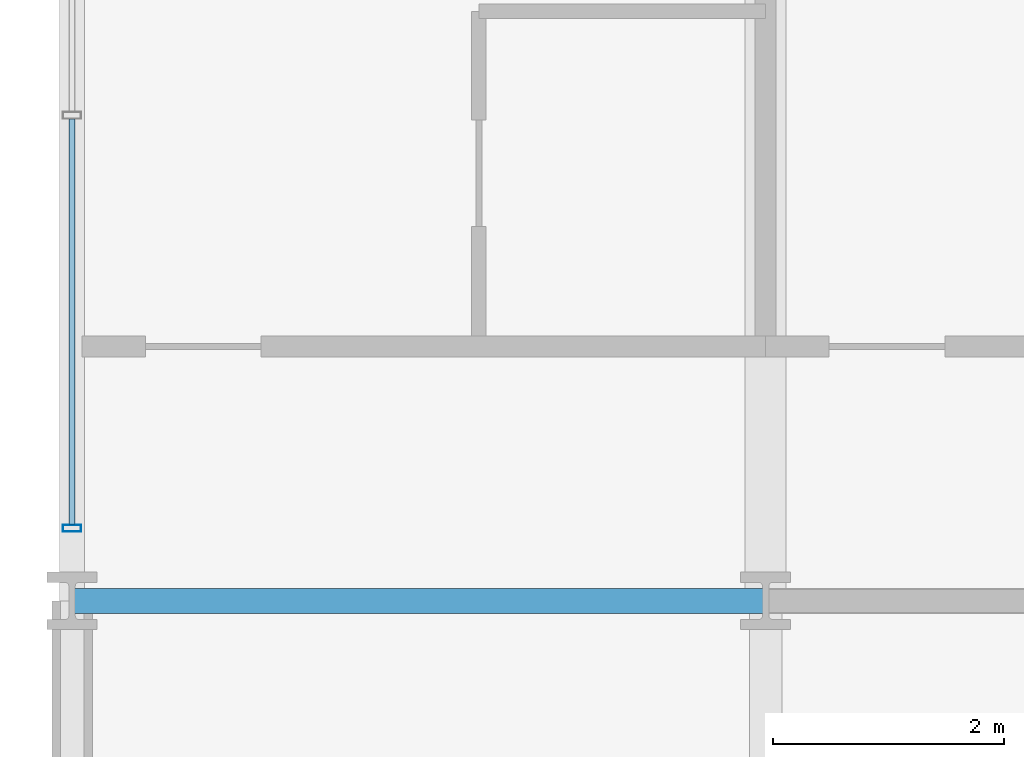
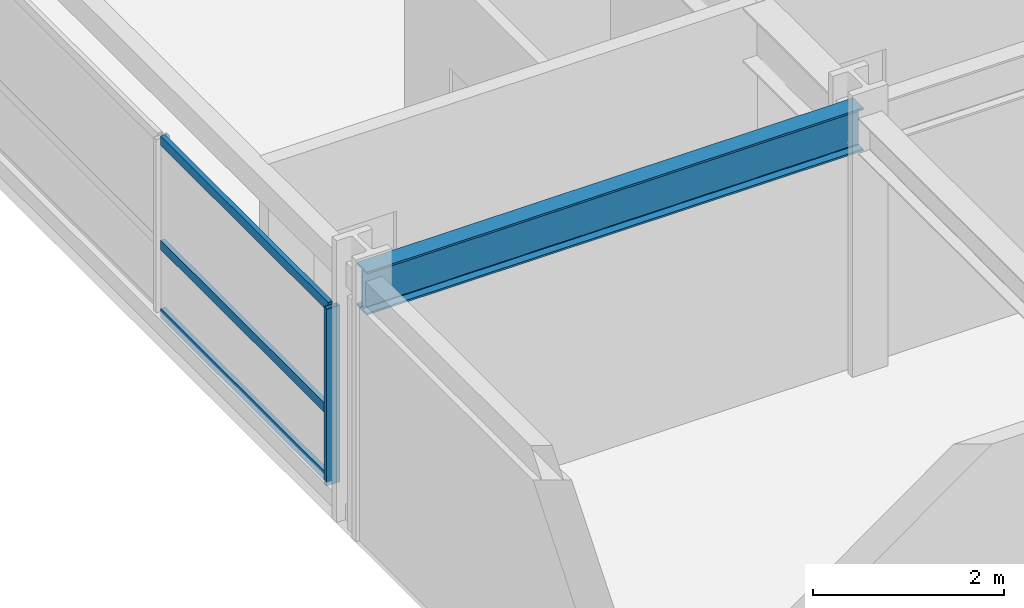
# One storey, part 6 of 22: 4 members, 1 beam, 1 element without a shape of its own.
"""IFC4 building model written with IfcOpenShell, lengths in metres."""

from ifc_helpers import new_model, si_unit, direction, frame, origin, origin_2d, place, context, subcontext, project, spatial, hollow_rectangle, i_section, extrude, material, material_profile, profile_set, type_object, element, aggregate, save


model = new_model("IFC4")

# Units and contexts
model_context = context("Model", 3, precision=1e-05, world=origin(), true_north=direction((0.0, 1.0)))
body_context = subcontext(model_context, "Body", "Model", "MODEL_VIEW")
ifc_project = project(units=[si_unit("LENGTHUNIT", "METRE"), si_unit("AREAUNIT", "SQUARE_METRE"), si_unit("VOLUMEUNIT", "CUBIC_METRE"), si_unit("PLANEANGLEUNIT", "RADIAN"), si_unit("MASSUNIT", "GRAM", prefix="KILO")], contexts=[model_context])

# Site, building, storey
site_placement = place(None, origin())
site = spatial("IfcSite", under=ifc_project, at=site_placement, CompositionType="ELEMENT")
building_placement = place(site_placement, origin())
building = spatial("IfcBuilding", under=site, at=building_placement, Name="Kaldorvane Square Convention Centre", CompositionType="ELEMENT")
storey_placement = place(building_placement, frame((0.0, 0.0, 31.199996948242188)))
storey = spatial("IfcBuildingStorey", under=building, at=storey_placement, Name="L06", CompositionType="ELEMENT", Elevation=31.199996948242188)

# Beam
ifc_material_1 = material(Name="Steel ASTM A992 Gr. 50", Category="steel")
ifc_material_profile_1 = material_profile(ifc_material_1, i_section(OverallWidth=0.213897705078125, OverallDepth=0.549102783203125, WebThickness=0.0146942138671875, FlangeThickness=0.0236053466796875, FilletRadius=0.0126953125, at=origin_2d()), Name="W21X93")
ifc_profile_set_1 = profile_set([ifc_material_profile_1], Name="Steel ASTM A992 Gr. 50")
beam_type = type_object("IfcBeamType", Name="BM-GR-W21X93", PredefinedType="BEAM", material=ifc_profile_set_1)
beam_placement = place(storey_placement, frame((24.0, 105.0, 3.0113983154296875), z_axis=(1.0, 0.0, 0.0), x_axis=(0.0, 1.0, 0.0)))
element("IfcBeam", 1, at=beam_placement, inside=storey, type_object=beam_type, Name="Primary Girder (L06)", PredefinedType="BEAM", context=body_context, shape_type="SweptSolid", body=[
    extrude(i_section(OverallWidth=0.213897705078125, OverallDepth=0.549102783203125, WebThickness=0.0146942138671875, FlangeThickness=0.0236053466796875, FilletRadius=0.0126953125, at=origin_2d()), origin(), (0.0, 0.0, 1.0), 6.0),
])

# Curtain wall, members
ifc_material_2 = material(Name="Anodized Aluminum and Low-E Insulated Glazing", Category="aluminium")
curtain_wall_type = type_object("IfcCurtainWallType", Name="CW-UNI-HTL-B", PredefinedType="USERDEFINED", material=ifc_material_2)
curtain_wall_placement = place(storey_placement, origin())
curtain_wall = element("IfcCurtainWall", 2, at=curtain_wall_placement, inside=storey, type_object=curtain_wall_type, Name="Curtain Wall CW-11 (L06)", ObjectType="UNITISED GLAZING", PredefinedType="USERDEFINED")
ifc_material_profile_2 = material_profile(ifc_material_2, hollow_rectangle(XDim=0.05999755859375, YDim=0.160003662109375, WallThickness=0.003204345703125, at=origin_2d()), Name="CWM-160X60")
ifc_profile_set_2 = profile_set([ifc_material_profile_2], Name="Anodized Aluminum and Low-E Insulated Glazing")
member_type_1 = type_object("IfcMemberType", Name="CW-MUL-160", PredefinedType="MULLION", material=ifc_profile_set_2)
member_1_placement = place(storey_placement, frame((24.0, 105.6300048828125, 0.1500091552734375), z_axis=(0.0, 0.0, 1.0), x_axis=(0.0, -1.0, 0.0)))
member_1 = element("IfcMember", 3, at=member_1_placement, type_object=member_type_1, Name="CW-11 mullion 4", PredefinedType="MULLION", context=body_context, shape_type="SweptSolid", body=[
    extrude(hollow_rectangle(XDim=0.05999755859375, YDim=0.160003662109375, WallThickness=0.003204345703125, at=origin_2d()), origin(), (0.0, 0.0, 1.0), 2.2599945068359375),
])
ifc_material_profile_3 = material_profile(ifc_material_2, hollow_rectangle(XDim=0.05499267578125, YDim=0.1199951171875, WallThickness=0.0030059814453125, at=origin_2d()), Name="CWT-120X55")
ifc_profile_set_3 = profile_set([ifc_material_profile_3], Name="Anodized Aluminum and Low-E Insulated Glazing")
member_type_2 = type_object("IfcMemberType", Name="CW-TRN-120", PredefinedType="USERDEFINED", material=ifc_profile_set_3)
member_2_placement = place(storey_placement, frame((24.0, 109.16999816894531, 0.1775054931640625), z_axis=(0.0, -1.0, 0.0), x_axis=(1.0, 0.0, 0.0)))
member_2 = element("IfcMember", 4, at=member_2_placement, type_object=member_type_2, Name="CW-11 transom 3.1", ObjectType="TRANSOM", PredefinedType="USERDEFINED", context=body_context, shape_type="SweptSolid", body=[
    extrude(hollow_rectangle(XDim=0.05499267578125, YDim=0.1199951171875, WallThickness=0.0030059814453125, at=origin_2d()), origin(), (0.0, 0.0, 1.0), 3.5099945068359375),
])
member_3_placement = place(storey_placement, frame((24.0, 109.16999816894531, 1.0500030517578125), z_axis=(0.0, -1.0, 0.0), x_axis=(1.0, 0.0, 0.0)))
member_3 = element("IfcMember", 5, at=member_3_placement, type_object=member_type_2, Name="CW-11 transom 3.2", ObjectType="TRANSOM", PredefinedType="USERDEFINED", context=body_context, shape_type="SweptSolid", body=[
    extrude(hollow_rectangle(XDim=0.05499267578125, YDim=0.1199951171875, WallThickness=0.0030059814453125, at=origin_2d()), origin(), (0.0, 0.0, 1.0), 3.5099945068359375),
])
member_4_placement = place(storey_placement, frame((24.0, 109.16999816894531, 2.38250732421875), z_axis=(0.0, -1.0, 0.0), x_axis=(1.0, 0.0, 0.0)))
member_4 = element("IfcMember", 6, at=member_4_placement, type_object=member_type_2, Name="CW-11 transom 3.3", ObjectType="TRANSOM", PredefinedType="USERDEFINED", context=body_context, shape_type="SweptSolid", body=[
    extrude(hollow_rectangle(XDim=0.05499267578125, YDim=0.1199951171875, WallThickness=0.0030059814453125, at=origin_2d()), origin(), (0.0, 0.0, 1.0), 3.5099945068359375),
])
aggregate(curtain_wall, [member_1, member_2, member_3, member_4])

save(model, "model.ifc")
